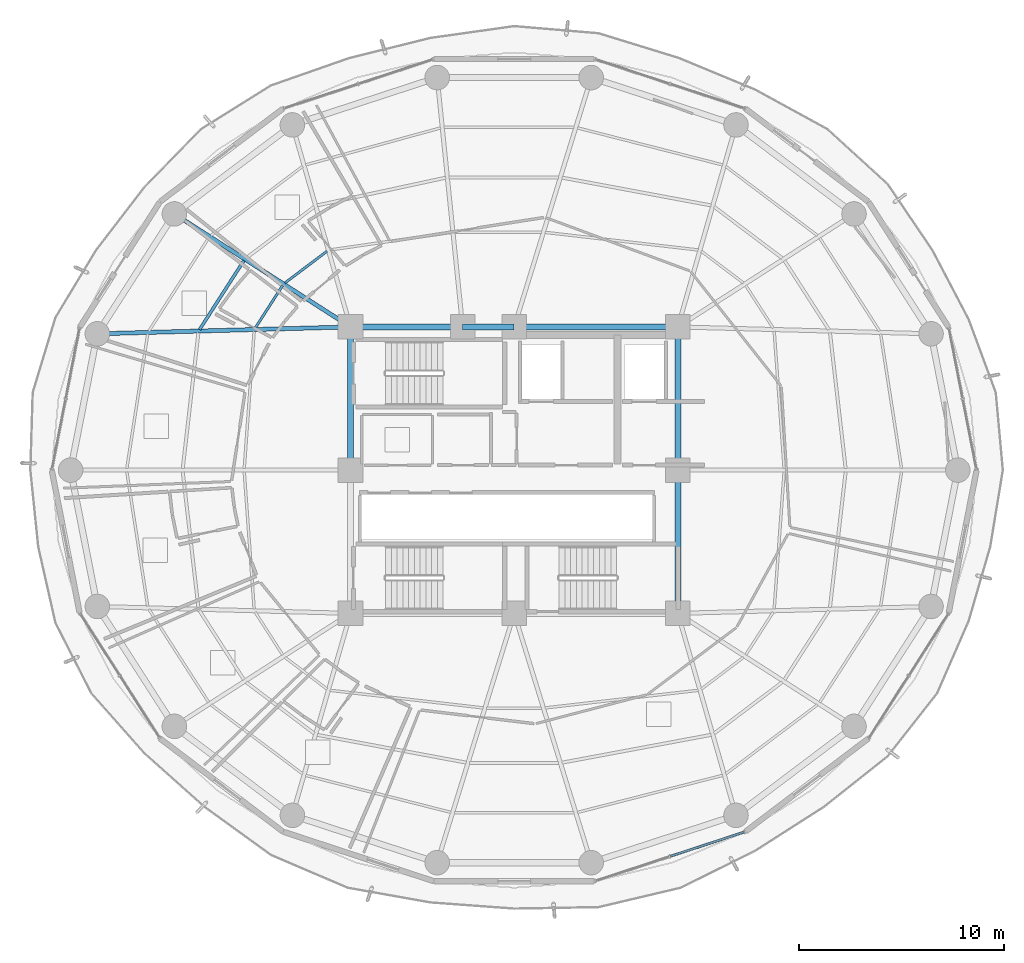
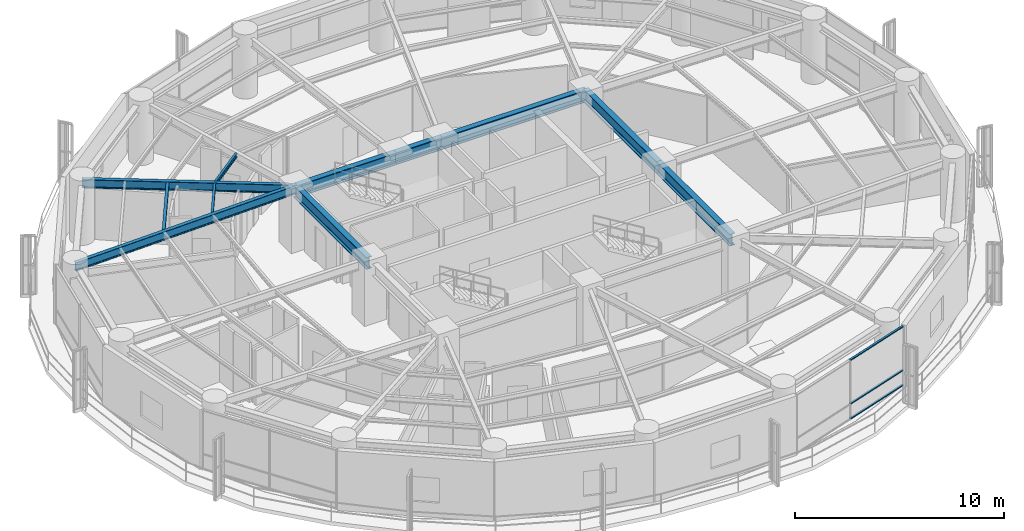
# One storey, part 9 of 27: 11 beams, 3 members, 1 element without a shape of its own.
"""IFC4 building model written with IfcOpenShell, lengths in metres."""

from ifc_helpers import new_model, si_unit, direction, frame, origin, origin_2d, place, context, subcontext, project, spatial, hollow_rectangle, i_section, extrude, material, layer, layer_set, material_profile, profile_set, type_object, element, aggregate, save


model = new_model("IFC4")

# Units and contexts
model_context = context("Model", 3, precision=1e-05, world=origin(), true_north=direction((0.0, 1.0)))
body_context = subcontext(model_context, "Body", "Model", "MODEL_VIEW")
ifc_project = project(units=[si_unit("LENGTHUNIT", "METRE"), si_unit("AREAUNIT", "SQUARE_METRE"), si_unit("VOLUMEUNIT", "CUBIC_METRE"), si_unit("PLANEANGLEUNIT", "RADIAN"), si_unit("MASSUNIT", "GRAM", prefix="KILO")], contexts=[model_context])

# Site, building, storey
site_placement = place(None, origin())
site = spatial("IfcSite", under=ifc_project, at=site_placement, CompositionType="ELEMENT")
building_placement = place(site_placement, origin())
building = spatial("IfcBuilding", under=site, at=building_placement, Name="Kelanora Arch Commons", CompositionType="ELEMENT")
storey_placement = place(building_placement, frame((0.0, 0.0, 146.85009765625)))
storey = spatial("IfcBuildingStorey", under=building, at=storey_placement, Name="L37", CompositionType="ELEMENT", Elevation=146.85009765625)

# Beams
ifc_material_1 = material(Name="Steel S355", Category="steel")
ifc_material_profile_1 = material_profile(ifc_material_1, i_section(OverallWidth=0.300048828125, OverallDepth=0.699951171875, WebThickness=0.01708984375, FlangeThickness=0.031982421875, FilletRadius=0.027099609375, at=origin_2d()), Name="HEB700")
ifc_profile_set_1 = profile_set([ifc_material_profile_1], Name="Steel S355")
beam_type_1 = type_object("IfcBeamType", Name="BM-CORE-HDR", PredefinedType="BEAM", material=ifc_profile_set_1)
for number, where, z_axis, x_axis, name in (
    (1, (82.0, 51.0, 3.139892578125), (0.0, 1.0, 0.0), (-1.0, 0.0, 0.0), "Core Header Beam 03 L37"),
    (2, (82.0, 58.0, 3.139892578125), (0.0, 1.0, 0.0), (-1.0, 0.0, 0.0), "Core Header Beam 04 L37"),
):
    element("IfcBeam", number, at=place(storey_placement, frame(where, z_axis=z_axis, x_axis=x_axis)), inside=storey, type_object=beam_type_1, Name=name, PredefinedType="BEAM", context=body_context, shape_type="SweptSolid", body=[
        extrude(i_section(OverallWidth=0.300048828125, OverallDepth=0.699951171875, WebThickness=0.01708984375, FlangeThickness=0.031982421875, FilletRadius=0.027099609375, at=origin_2d()), origin(), (0.0, 0.0, 1.0), 7.0),
    ])
beam_1_placement = place(storey_placement, frame((82.0, 65.0, 3.139892578125), z_axis=(-1.0, 0.0, 0.0), x_axis=(0.0, -1.0, 0.0)))
element("IfcBeam", 3, at=beam_1_placement, inside=storey, type_object=beam_type_1, Name="Core Header Beam 05 L37", PredefinedType="BEAM", context=body_context, shape_type="SweptSolid", body=[
    extrude(i_section(OverallWidth=0.300048828125, OverallDepth=0.699951171875, WebThickness=0.01708984375, FlangeThickness=0.031982421875, FilletRadius=0.027099609375, at=origin_2d()), origin(), (0.0, 0.0, 1.0), 8.0),
])
beam_2_placement = place(storey_placement, frame((74.0, 65.0, 3.139892578125), z_axis=(-1.0, 0.0, 0.0), x_axis=(0.0, -1.0, 0.0)))
element("IfcBeam", 4, at=beam_2_placement, inside=storey, type_object=beam_type_1, Name="Core Header Beam 06 L37", PredefinedType="BEAM", context=body_context, shape_type="SweptSolid", body=[
    extrude(i_section(OverallWidth=0.300048828125, OverallDepth=0.699951171875, WebThickness=0.01708984375, FlangeThickness=0.031982421875, FilletRadius=0.027099609375, at=origin_2d()), origin(), (0.0, 0.0, 1.0), 2.52001953125),
])
beam_3_placement = place(storey_placement, frame((71.47998046875, 65.0, 3.139892578125), z_axis=(-1.0, 0.0, 0.0), x_axis=(0.0, -1.0, 0.0)))
element("IfcBeam", 5, at=beam_3_placement, inside=storey, type_object=beam_type_1, Name="Core Header Beam 07 L37", PredefinedType="BEAM", context=body_context, shape_type="SweptSolid", body=[
    extrude(i_section(OverallWidth=0.300048828125, OverallDepth=0.699951171875, WebThickness=0.01708984375, FlangeThickness=0.031982421875, FilletRadius=0.027099609375, at=origin_2d()), origin(), (0.0, 0.0, 1.0), 5.47998046875),
])
beam_4_placement = place(storey_placement, frame((66.0, 65.0, 3.139892578125), z_axis=(0.0, -1.0, 0.0), x_axis=(1.0, 0.0, 0.0)))
element("IfcBeam", 6, at=beam_4_placement, inside=storey, type_object=beam_type_1, Name="Core Header Beam 08 L37", PredefinedType="BEAM", context=body_context, shape_type="SweptSolid", body=[
    extrude(i_section(OverallWidth=0.300048828125, OverallDepth=0.699951171875, WebThickness=0.01708984375, FlangeThickness=0.031982421875, FilletRadius=0.027099609375, at=origin_2d()), origin(), (0.0, 0.0, 1.0), 7.0),
])
ifc_material_profile_2 = material_profile(ifc_material_1, i_section(OverallWidth=0.14990234375, OverallDepth=0.300048828125, WebThickness=0.007080078125, FlangeThickness=0.0107421875, FilletRadius=0.014892578125, at=origin_2d()), Name="IPE300")
ifc_profile_set_2 = profile_set([ifc_material_profile_2], Name="Steel S355")
beam_type_2 = type_object("IfcBeamType", Name="BM-JST-01", PredefinedType="JOIST", material=ifc_profile_set_2)
beam_5_placement = place(storey_placement, frame((60.789306640625, 68.241455078125, 3.33984375), z_axis=(-0.540594434398, -0.841283339606, 0.0), x_axis=(0.841283339606, -0.540594434398, 0.0)))
element("IfcBeam", 7, at=beam_5_placement, inside=storey, type_object=beam_type_2, Name="Secondary Chord Joist BJB-14 L37", PredefinedType="JOIST", context=body_context, shape_type="SweptSolid", body=[
    extrude(i_section(OverallWidth=0.14990234375, OverallDepth=0.300048828125, WebThickness=0.007080078125, FlangeThickness=0.0107421875, FilletRadius=0.014892578125, at=origin_2d()), origin(), (0.0, 0.0, 1.0), 4.008544921875),
])
ifc_material_profile_3 = material_profile(ifc_material_1, i_section(OverallWidth=0.1201171875, OverallDepth=0.239990234375, WebThickness=0.006103515625, FlangeThickness=0.009765625, FilletRadius=0.014892578125, at=origin_2d()), Name="IPE240")
ifc_profile_set_3 = profile_set([ifc_material_profile_3], Name="Steel S355")
beam_type_3 = type_object("IfcBeamType", Name="BM-JST-02", PredefinedType="JOIST", material=ifc_profile_set_3)
beam_6_placement = place(storey_placement, frame((64.852783203125, 68.699462890625, 3.369873046875), z_axis=(-0.798484118859, -0.602015873487, 0.0), x_axis=(0.602015873487, -0.798484118859, 0.0)))
element("IfcBeam", 8, at=beam_6_placement, inside=storey, type_object=beam_type_3, Name="Secondary Chord Joist BJA-12 L37", PredefinedType="JOIST", context=body_context, shape_type="SweptSolid", body=[
    extrude(i_section(OverallWidth=0.1201171875, OverallDepth=0.239990234375, WebThickness=0.006103515625, FlangeThickness=0.009765625, FilletRadius=0.014892578125, at=origin_2d()), origin(), (0.0, 0.0, 1.0), 2.57470703125),
])
beam_7_placement = place(storey_placement, frame((62.68310546875, 67.026611328125, 3.369873046875), z_axis=(-0.540583174025, -0.841290575224, 0.0), x_axis=(0.841290575224, -0.540583174025, 0.0)))
element("IfcBeam", 9, at=beam_7_placement, inside=storey, type_object=beam_type_3, Name="Secondary Chord Joist BJA-14 L37", PredefinedType="JOIST", context=body_context, shape_type="SweptSolid", body=[
    extrude(i_section(OverallWidth=0.1201171875, OverallDepth=0.239990234375, WebThickness=0.006103515625, FlangeThickness=0.009765625, FilletRadius=0.014892578125, at=origin_2d()), origin(), (0.0, 0.0, 1.0), 2.476318359375),
])
ifc_material_profile_4 = material_profile(ifc_material_1, i_section(OverallWidth=0.199951171875, OverallDepth=0.5, WebThickness=0.01025390625, FlangeThickness=0.01611328125, FilletRadius=0.02099609375, at=origin_2d()), Name="IPE500")
ifc_profile_set_4 = profile_set([ifc_material_profile_4], Name="Steel S355")
beam_type_4 = type_object("IfcBeamType", Name="BM-RAD-Z3", PredefinedType="BEAM", material=ifc_profile_set_4)
beam_8_placement = place(storey_placement, frame((66.0, 65.0, 3.239990234375), z_axis=(-0.841719465748, 0.539915123868, 0.0), x_axis=(-0.539915123868, -0.841719465748, 0.0)))
element("IfcBeam", 10, at=beam_8_placement, inside=storey, type_object=beam_type_4, Name="Radial Floor Girder BR-14 L37", PredefinedType="BEAM", context=body_context, shape_type="SweptSolid", body=[
    extrude(i_section(OverallWidth=0.199951171875, OverallDepth=0.5, WebThickness=0.01025390625, FlangeThickness=0.01611328125, FilletRadius=0.02099609375, at=origin_2d()), origin(), (0.0, 0.0, 1.0), 10.2265625),
])
beam_9_placement = place(storey_placement, frame((66.0, 65.0, 3.239990234375), z_axis=(-0.999628374924, -0.027260081577, 0.0), x_axis=(0.027260081577, -0.999628374924, 0.0)))
element("IfcBeam", 11, at=beam_9_placement, inside=storey, type_object=beam_type_4, Name="Radial Floor Girder BR-16 L37", PredefinedType="BEAM", context=body_context, shape_type="SweptSolid", body=[
    extrude(i_section(OverallWidth=0.199951171875, OverallDepth=0.5, WebThickness=0.01025390625, FlangeThickness=0.01611328125, FilletRadius=0.02099609375, at=origin_2d()), origin(), (0.0, 0.0, 1.0), 12.377197265625),
])

# Curtain wall, members
ifc_material_2 = material(Name="Terracotta ceramic-fritted low-E glass and aluminium", Category="masonry")
ifc_layer = layer(ifc_material_2, 0.175048828125)
ifc_layer_set = layer_set([ifc_layer], Name="Terracotta ceramic-fritted low-E glass and aluminium")
curtain_wall_type = type_object("IfcCurtainWallType", Name="CW-SYS-02", PredefinedType="NOTDEFINED", material=ifc_layer_set)
curtain_wall_placement = place(storey_placement, origin())
curtain_wall = element("IfcCurtainWall", 12, at=curtain_wall_placement, inside=storey, type_object=curtain_wall_type, Name="Unitised Curtain Wall L37-B14", PredefinedType="NOTDEFINED")
ifc_material_3 = material(Name="Powder-coated aluminium terracotta", Category="masonry")
ifc_material_profile_5 = material_profile(ifc_material_3, hollow_rectangle(XDim=0.1201171875, YDim=0.06005859375, WallThickness=0.0048828125, InnerFilletRadius=0.0048828125, OuterFilletRadius=0.010009765625, at=origin_2d()), Name="CWT120x60")
ifc_profile_set_5 = profile_set([ifc_material_profile_5], Name="Powder-coated aluminium terracotta")
member_type = type_object("IfcMemberType", Name="CWT-STD", PredefinedType="USERDEFINED", material=ifc_profile_set_5)
member_1_placement = place(storey_placement, frame((81.640625, 39.130859375, 0.02978515625), z_axis=(0.950051191155, 0.312094111104, 0.0), x_axis=(-0.312094111104, 0.950051191155, 0.0)))
member_1 = element("IfcMember", 13, at=member_1_placement, type_object=member_type, Name="CW-02 transom 2.1", ObjectType="TRANSOM", PredefinedType="USERDEFINED", context=body_context, shape_type="SweptSolid", body=[
    extrude(hollow_rectangle(XDim=0.1201171875, YDim=0.06005859375, WallThickness=0.0048828125, InnerFilletRadius=0.0048828125, OuterFilletRadius=0.010009765625, at=origin_2d()), origin(), (0.0, 0.0, 1.0), 3.77685546875),
])
member_2_placement = place(storey_placement, frame((81.640625, 39.130859375, 0.89990234375), z_axis=(0.950051191155, 0.312094111104, 0.0), x_axis=(-0.312094111104, 0.950051191155, 0.0)))
member_2 = element("IfcMember", 14, at=member_2_placement, type_object=member_type, Name="CW-02 transom 2.2", ObjectType="TRANSOM", PredefinedType="USERDEFINED", context=body_context, shape_type="SweptSolid", body=[
    extrude(hollow_rectangle(XDim=0.1201171875, YDim=0.06005859375, WallThickness=0.0048828125, InnerFilletRadius=0.0048828125, OuterFilletRadius=0.010009765625, at=origin_2d()), origin(), (0.0, 0.0, 1.0), 3.77685546875),
])
member_3_placement = place(storey_placement, frame((81.640625, 39.130859375, 3.44482421875), z_axis=(0.950051191155, 0.312094111104, 0.0), x_axis=(-0.312094111104, 0.950051191155, 0.0)))
member_3 = element("IfcMember", 15, at=member_3_placement, type_object=member_type, Name="CW-02 transom 2.3", ObjectType="TRANSOM", PredefinedType="USERDEFINED", context=body_context, shape_type="SweptSolid", body=[
    extrude(hollow_rectangle(XDim=0.1201171875, YDim=0.06005859375, WallThickness=0.0048828125, InnerFilletRadius=0.0048828125, OuterFilletRadius=0.010009765625, at=origin_2d()), origin(), (0.0, 0.0, 1.0), 3.77685546875),
])
aggregate(curtain_wall, [member_1, member_2, member_3])

save(model, "model.ifc")
